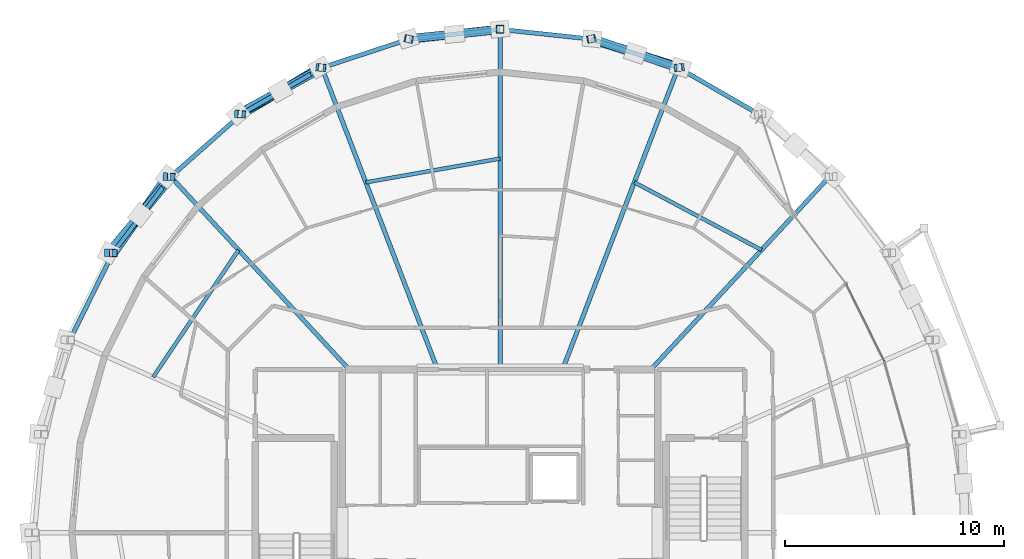
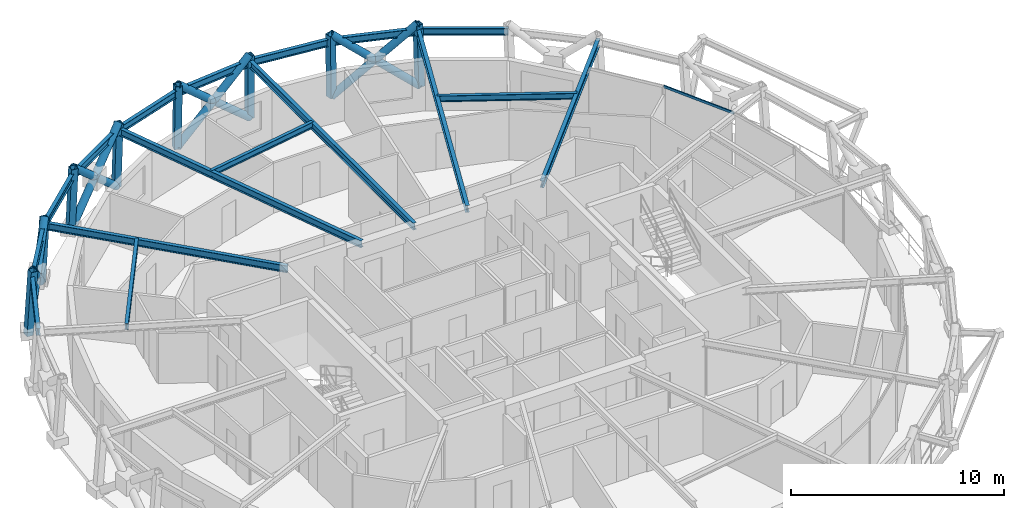
# One storey, part 7 of 15: 21 members, 17 beams, 1 element without a shape of its own.
"""IFC4 building model written with IfcOpenShell, lengths in metres."""

from ifc_helpers import new_model, si_unit, direction, frame, origin, origin_2d, place, context, subcontext, project, spatial, hollow_rectangle, hollow_circle, i_section, extrude, material, layer, layer_set, material_profile, profile_set, type_object, element, aggregate, save


model = new_model("IFC4")

# Units and contexts
model_context = context("Model", 3, precision=1e-05, world=origin(), true_north=direction((0.0, 1.0)))
body_context = subcontext(model_context, "Body", "Model", "MODEL_VIEW")
ifc_project = project(units=[si_unit("LENGTHUNIT", "METRE"), si_unit("AREAUNIT", "SQUARE_METRE"), si_unit("VOLUMEUNIT", "CUBIC_METRE"), si_unit("PLANEANGLEUNIT", "RADIAN"), si_unit("MASSUNIT", "GRAM", prefix="KILO")], contexts=[model_context])

# Site, building, storey
site_placement = place(None, origin())
site = spatial("IfcSite", under=ifc_project, at=site_placement, CompositionType="ELEMENT")
building_placement = place(site_placement, origin())
building = spatial("IfcBuilding", under=site, at=building_placement, Name="Veldorina Hangang Commons", CompositionType="ELEMENT")
storey_placement = place(building_placement, frame((0.0, 0.0, 268.800048828125)))
storey = spatial("IfcBuildingStorey", under=building, at=storey_placement, Name="L70", CompositionType="ELEMENT", Elevation=268.800048828125)

# Beams
ifc_material_1 = material(Name="Steel SM355-TMC", Category="steel")
ifc_material_profile_1 = material_profile(ifc_material_1, i_section(OverallWidth=0.199951171875, OverallDepth=0.39990234375, WebThickness=0.008056640625, FlangeThickness=0.012939453125, FilletRadius=0.012939453125, at=origin_2d()), Name="H-400x200x8x13")
ifc_profile_set_1 = profile_set([ifc_material_profile_1], Name="Steel SM355-TMC")
beam_type_1 = type_object("IfcBeamType", Name="BM-FG400", PredefinedType="BEAM", material=ifc_profile_set_1)
beam_1_placement = place(storey_placement, frame((38.893798828125, 31.449951171875, 3.159912109375), z_axis=(0.679179899846, 0.73397184118, 0.0), x_axis=(-0.73397184118, 0.679179899846, 0.0)))
element("IfcBeam", 1, at=beam_1_placement, inside=storey, type_object=beam_type_1, Name="L70 radial floor girder 03", PredefinedType="BEAM", context=body_context, shape_type="SweptSolid", body=[
    extrude(i_section(OverallWidth=0.199951171875, OverallDepth=0.39990234375, WebThickness=0.008056640625, FlangeThickness=0.012939453125, FilletRadius=0.012939453125, at=origin_2d()), origin(), (0.0, 0.0, 1.0), 11.994873046875),
])
beam_2_placement = place(storey_placement, frame((34.855712890625, 31.449951171875, 3.159912109375), z_axis=(0.357895163027, 0.933761774909, 0.0), x_axis=(-0.933761774909, 0.357895163027, 0.0)))
element("IfcBeam", 2, at=beam_2_placement, inside=storey, type_object=beam_type_1, Name="L70 radial floor girder 04", PredefinedType="BEAM", context=body_context, shape_type="SweptSolid", body=[
    extrude(i_section(OverallWidth=0.199951171875, OverallDepth=0.39990234375, WebThickness=0.008056640625, FlangeThickness=0.012939453125, FilletRadius=0.012939453125, at=origin_2d()), origin(), (0.0, 0.0, 1.0), 14.7646484375),
])
beam_3_placement = place(storey_placement, frame((32.0, 31.449951171875, 3.159912109375), z_axis=(0.0, 1.0, 0.0), x_axis=(-1.0, 0.0, 0.0)))
element("IfcBeam", 3, at=beam_3_placement, inside=storey, type_object=beam_type_1, Name="L70 radial floor girder 05", PredefinedType="BEAM", context=body_context, shape_type="SweptSolid", body=[
    extrude(i_section(OverallWidth=0.199951171875, OverallDepth=0.39990234375, WebThickness=0.008056640625, FlangeThickness=0.012939453125, FilletRadius=0.012939453125, at=origin_2d()), origin(), (0.0, 0.0, 1.0), 15.536376953125),
])
beam_4_placement = place(storey_placement, frame((29.144287109375, 31.449951171875, 3.159912109375), z_axis=(-0.357895163027, 0.933761774909, 0.0), x_axis=(-0.933761774909, -0.357895163027, 0.0)))
element("IfcBeam", 4, at=beam_4_placement, inside=storey, type_object=beam_type_1, Name="L70 radial floor girder 06", PredefinedType="BEAM", context=body_context, shape_type="SweptSolid", body=[
    extrude(i_section(OverallWidth=0.199951171875, OverallDepth=0.39990234375, WebThickness=0.008056640625, FlangeThickness=0.012939453125, FilletRadius=0.012939453125, at=origin_2d()), origin(), (0.0, 0.0, 1.0), 14.7646484375),
])
beam_5_placement = place(storey_placement, frame((25.106201171875, 31.449951171875, 3.159912109375), z_axis=(-0.679179899846, 0.73397184118, 0.0), x_axis=(-0.73397184118, -0.679179899846, 0.0)))
element("IfcBeam", 5, at=beam_5_placement, inside=storey, type_object=beam_type_1, Name="L70 radial floor girder 07", PredefinedType="BEAM", context=body_context, shape_type="SweptSolid", body=[
    extrude(i_section(OverallWidth=0.199951171875, OverallDepth=0.39990234375, WebThickness=0.008056640625, FlangeThickness=0.012939453125, FilletRadius=0.012939453125, at=origin_2d()), origin(), (0.0, 0.0, 1.0), 11.994873046875),
])
ifc_material_profile_2 = material_profile(ifc_material_1, i_section(OverallWidth=0.175048828125, OverallDepth=0.35009765625, WebThickness=0.007080078125, FlangeThickness=0.010986328125, FilletRadius=0.012939453125, at=origin_2d()), Name="H-350x175x7x11")
ifc_profile_set_2 = profile_set([ifc_material_profile_2], Name="Steel SM355-TMC")
beam_type_2 = type_object("IfcBeamType", Name="BM-JST350", PredefinedType="JOIST", material=ifc_profile_set_2)
beam_6_placement = place(storey_placement, frame((43.94482421875, 36.908447265625, 3.18505859375), z_axis=(-0.88303983929, 0.469298031347, 0.0), x_axis=(-0.469298031347, -0.88303983929, 0.0)))
element("IfcBeam", 6, at=beam_6_placement, inside=storey, type_object=beam_type_2, Name="L70 secondary floor joist 03", PredefinedType="JOIST", context=body_context, shape_type="SweptSolid", body=[
    extrude(i_section(OverallWidth=0.175048828125, OverallDepth=0.35009765625, WebThickness=0.007080078125, FlangeThickness=0.010986328125, FilletRadius=0.012939453125, at=origin_2d()), origin(), (0.0, 0.0, 1.0), 6.5830078125),
])
beam_7_placement = place(storey_placement, frame((32.0, 41.08251953125, 3.18505859375), z_axis=(-0.984711244278, -0.174194619299, 0.0), x_axis=(0.174194619299, -0.984711244278, 0.0)))
element("IfcBeam", 7, at=beam_7_placement, inside=storey, type_object=beam_type_2, Name="L70 secondary floor joist 05", PredefinedType="JOIST", context=body_context, shape_type="SweptSolid", body=[
    extrude(i_section(OverallWidth=0.175048828125, OverallDepth=0.35009765625, WebThickness=0.007080078125, FlangeThickness=0.010986328125, FilletRadius=0.012939453125, at=origin_2d()), origin(), (0.0, 0.0, 1.0), 6.22705078125),
])
beam_8_placement = place(storey_placement, frame((20.05517578125, 36.908447265625, 3.18505859375), z_axis=(-0.557777384518, -0.829990595923, 0.0), x_axis=(0.829990595923, -0.557777384518, 0.0)))
element("IfcBeam", 8, at=beam_8_placement, inside=storey, type_object=beam_type_2, Name="L70 secondary floor joist 07", PredefinedType="JOIST", context=body_context, shape_type="SweptSolid", body=[
    extrude(i_section(OverallWidth=0.175048828125, OverallDepth=0.35009765625, WebThickness=0.007080078125, FlangeThickness=0.010986328125, FilletRadius=0.012939453125, at=origin_2d()), origin(), (0.0, 0.0, 1.0), 7.003662109375),
])
ifc_material_profile_3 = material_profile(ifc_material_1, i_section(OverallWidth=0.199951171875, OverallDepth=0.39990234375, WebThickness=0.008056640625, FlangeThickness=0.012939453125, FilletRadius=0.012939453125, at=origin_2d()), Name="H-400x200x8x13")
ifc_profile_set_3 = profile_set([ifc_material_profile_3], Name="Steel SM355-TMC")
beam_type_3 = type_object("IfcBeamType", Name="BM-RB400", PredefinedType="BEAM", material=ifc_profile_set_3)
beam_9_placement = place(storey_placement, frame((43.8173828125, 43.1123046875, 3.159912109375), z_axis=(-0.865916531802, 0.500188524411, 0.0), x_axis=(-0.500188524411, -0.865916531802, 0.0)))
element("IfcBeam", 9, at=beam_9_placement, inside=storey, type_object=beam_type_3, Name="L70 perimeter hoop ring beam 05", PredefinedType="BEAM", context=body_context, shape_type="SweptSolid", body=[
    extrude(i_section(OverallWidth=0.199951171875, OverallDepth=0.39990234375, WebThickness=0.008056640625, FlangeThickness=0.012939453125, FilletRadius=0.012939453125, at=origin_2d()), origin(), (0.0, 0.0, 1.0), 4.246826171875),
])
beam_10_placement = place(storey_placement, frame((40.139892578125, 45.236572265625, 3.159912109375), z_axis=(-0.950241391211, 0.311514523624, 0.0), x_axis=(-0.311514523624, -0.950241391211, 0.0)))
element("IfcBeam", 10, at=beam_10_placement, inside=storey, type_object=beam_type_3, Name="L70 perimeter hoop ring beam 06", PredefinedType="BEAM", context=body_context, shape_type="SweptSolid", body=[
    extrude(i_section(OverallWidth=0.199951171875, OverallDepth=0.39990234375, WebThickness=0.008056640625, FlangeThickness=0.012939453125, FilletRadius=0.012939453125, at=origin_2d()), origin(), (0.0, 0.0, 1.0), 4.19921875),
])
for number, where, z_axis, x_axis, name in (
    (11, (36.149658203125, 46.544677734375, 3.159912109375), (-0.994383936401, 0.105832825849, 0.0), (-0.105832825849, -0.994383936401, 0.0), "L70 perimeter hoop ring beam 07"),
    (12, (32.0, 46.986328125, 3.159912109375), (-0.994383936401, -0.105832825849, 0.0), (0.105832825849, -0.994383936401, 0.0), "L70 perimeter hoop ring beam 08"),
):
    element("IfcBeam", number, at=place(storey_placement, frame(where, z_axis=z_axis, x_axis=x_axis)), inside=storey, type_object=beam_type_3, Name=name, PredefinedType="BEAM", context=body_context, shape_type="SweptSolid", body=[
        extrude(i_section(OverallWidth=0.199951171875, OverallDepth=0.39990234375, WebThickness=0.008056640625, FlangeThickness=0.012939453125, FilletRadius=0.012939453125, at=origin_2d()), origin(), (0.0, 0.0, 1.0), 4.173095703125),
    ])
beam_11_placement = place(storey_placement, frame((27.850341796875, 46.544677734375, 3.159912109375), z_axis=(-0.950241391211, -0.311514523624, 0.0), x_axis=(0.311514523624, -0.950241391211, 0.0)))
element("IfcBeam", 13, at=beam_11_placement, inside=storey, type_object=beam_type_3, Name="L70 perimeter hoop ring beam 09", PredefinedType="BEAM", context=body_context, shape_type="SweptSolid", body=[
    extrude(i_section(OverallWidth=0.199951171875, OverallDepth=0.39990234375, WebThickness=0.008056640625, FlangeThickness=0.012939453125, FilletRadius=0.012939453125, at=origin_2d()), origin(), (0.0, 0.0, 1.0), 4.19921875),
])
beam_12_placement = place(storey_placement, frame((23.860107421875, 45.236572265625, 3.159912109375), z_axis=(-0.865916531802, -0.500188524411, 0.0), x_axis=(0.500188524411, -0.865916531802, 0.0)))
element("IfcBeam", 14, at=beam_12_placement, inside=storey, type_object=beam_type_3, Name="L70 perimeter hoop ring beam 10", PredefinedType="BEAM", context=body_context, shape_type="SweptSolid", body=[
    extrude(i_section(OverallWidth=0.199951171875, OverallDepth=0.39990234375, WebThickness=0.008056640625, FlangeThickness=0.012939453125, FilletRadius=0.012939453125, at=origin_2d()), origin(), (0.0, 0.0, 1.0), 4.246826171875),
])
beam_13_placement = place(storey_placement, frame((20.1826171875, 43.1123046875, 3.159912109375), z_axis=(-0.74817173602, -0.663505126899, 0.0), x_axis=(0.663505126899, -0.74817173602, 0.0)))
element("IfcBeam", 15, at=beam_13_placement, inside=storey, type_object=beam_type_3, Name="L70 perimeter hoop ring beam 11", PredefinedType="BEAM", context=body_context, shape_type="SweptSolid", body=[
    extrude(i_section(OverallWidth=0.199951171875, OverallDepth=0.39990234375, WebThickness=0.008056640625, FlangeThickness=0.012939453125, FilletRadius=0.012939453125, at=origin_2d()), origin(), (0.0, 0.0, 1.0), 4.30810546875),
])
beam_14_placement = place(storey_placement, frame((16.95947265625, 40.25390625, 3.159912109375), z_axis=(-0.604776116347, -0.796395535583, 0.0), x_axis=(0.796395535583, -0.604776116347, 0.0)))
element("IfcBeam", 16, at=beam_14_placement, inside=storey, type_object=beam_type_3, Name="L70 perimeter hoop ring beam 12", PredefinedType="BEAM", context=body_context, shape_type="SweptSolid", body=[
    extrude(i_section(OverallWidth=0.199951171875, OverallDepth=0.39990234375, WebThickness=0.008056640625, FlangeThickness=0.012939453125, FilletRadius=0.012939453125, at=origin_2d()), origin(), (0.0, 0.0, 1.0), 4.3740234375),
])
beam_15_placement = place(storey_placement, frame((14.314208984375, 36.7705078125, 3.159912109375), z_axis=(-0.443377021076, -0.896335214739, 0.0), x_axis=(0.896335214739, -0.443377021076, 0.0)))
element("IfcBeam", 17, at=beam_15_placement, inside=storey, type_object=beam_type_3, Name="L70 perimeter hoop ring beam 13", PredefinedType="BEAM", context=body_context, shape_type="SweptSolid", body=[
    extrude(i_section(OverallWidth=0.199951171875, OverallDepth=0.39990234375, WebThickness=0.008056640625, FlangeThickness=0.012939453125, FilletRadius=0.012939453125, at=origin_2d()), origin(), (0.0, 0.0, 1.0), 4.433837890625),
])

# Curtain wall, member
ifc_material_2 = material(Name="Glass Low-E Selective", Category="glass")
ifc_layer = layer(ifc_material_2, 0.179931640625)
ifc_layer_set = layer_set([ifc_layer], Name="Glass Low-E Selective")
curtain_wall_type = type_object("IfcCurtainWallType", Name="CW-SYS-Z3", PredefinedType="NOTDEFINED", material=ifc_layer_set)
curtain_wall_placement = place(storey_placement, origin())
curtain_wall = element("IfcCurtainWall", 18, at=curtain_wall_placement, inside=storey, type_object=curtain_wall_type, Name="L70 unitised curtain wall CW-L70-R2", PredefinedType="NOTDEFINED")
ifc_material_3 = material(Name="Aluminium Anodized AA6063-T6", Category="aluminium")
ifc_material_profile_4 = material_profile(ifc_material_3, hollow_rectangle(XDim=0.06005859375, YDim=0.139892578125, WallThickness=0.00341796875, at=origin_2d()), Name="ALU-RHS-140x60x3.5")
ifc_profile_set_4 = profile_set([ifc_material_profile_4], Name="Aluminium Anodized AA6063-T6")
member_type_1 = type_object("IfcMemberType", Name="CW-TRN-140", PredefinedType="USERDEFINED", material=ifc_profile_set_4)
member_1_placement = place(storey_placement, frame((49.55078125, 31.836181640625, 3.280029296875), z_axis=(-0.444220792071, 0.895917344342, 0.0), x_axis=(-0.895917344342, -0.444220792071, 0.0)))
member_1 = element("IfcMember", 19, at=member_1_placement, type_object=member_type_1, Name="CW-L70-R2 facet 4 transom 1", ObjectType="TRANSOM", PredefinedType="USERDEFINED", context=body_context, shape_type="SweptSolid", body=[
    extrude(hollow_rectangle(XDim=0.06005859375, YDim=0.139892578125, WallThickness=0.00341796875, at=origin_2d()), origin(), (0.0, 0.0, 1.0), 3.95166015625),
])
aggregate(curtain_wall, [member_1])

# Members
ifc_material_profile_5 = material_profile(ifc_material_1, hollow_circle(Radius=0.199951171875, WallThickness=0.02001953125, at=origin_2d()), Name="CHS-400x20")
ifc_profile_set_5 = profile_set([ifc_material_profile_5], Name="Steel SM355-TMC")
member_type_2 = type_object("IfcMemberType", Name="DG-CHS400", PredefinedType="BRACE", material=ifc_profile_set_5)
member_2_placement = place(storey_placement, frame((40.234130859375, 45.24658203125, 0.0), z_axis=(-0.730349230959, 0.231478472616, 0.642656764963), x_axis=(-0.302130390763, -0.953266608551, 0.0)))
element("IfcMember", 20, at=member_2_placement, inside=storey, type_object=member_type_2, Name="L70 continuous perimeter diagrid brace 06", PredefinedType="BRACE", context=body_context, shape_type="SweptSolid", body=[
    extrude(hollow_circle(Radius=0.199951171875, WallThickness=0.02001953125, at=origin_2d()), origin(), (0.0, 0.0, 1.0), 5.6015625),
])
member_3_placement = place(storey_placement, frame((36.19775390625, 46.55517578125, 0.0), z_axis=(0.716614889435, -0.237751688796, 0.655695992603), x_axis=(0.314892468115, 0.949127353691, 0.0)))
element("IfcMember", 21, at=member_3_placement, inside=storey, type_object=member_type_2, Name="L70 split perimeter diagrid lower brace 07", PredefinedType="BRACE", context=body_context, shape_type="SweptSolid", body=[
    extrude(hollow_circle(Radius=0.199951171875, WallThickness=0.02001953125, at=origin_2d()), origin(), (0.0, 0.0, 1.0), 2.76123046875),
])
member_4_placement = place(storey_placement, frame((38.176513671875, 45.898681640625, 1.810546875), z_axis=(0.714726048133, -0.2431929643, 0.655762043912), x_axis=(0.32212369179, 0.946697590146, 0.0)))
element("IfcMember", 22, at=member_4_placement, inside=storey, type_object=member_type_2, Name="L70 split perimeter diagrid upper brace 07", PredefinedType="BRACE", context=body_context, shape_type="SweptSolid", body=[
    extrude(hollow_circle(Radius=0.199951171875, WallThickness=0.02001953125, at=origin_2d()), origin(), (0.0, 0.0, 1.0), 2.728515625),
])
member_5_placement = place(storey_placement, frame((32.0, 46.9970703125, 0.0), z_axis=(-0.752291547398, -0.08241072402, 0.653655796487), x_axis=(0.108894816923, -0.99405327767, 0.0)))
element("IfcMember", 23, at=member_5_placement, inside=storey, type_object=member_type_2, Name="L70 continuous perimeter diagrid brace 08", PredefinedType="BRACE", context=body_context, shape_type="SweptSolid", body=[
    extrude(hollow_circle(Radius=0.199951171875, WallThickness=0.02001953125, at=origin_2d()), origin(), (0.0, 0.0, 1.0), 5.50732421875),
])
member_6_placement = place(storey_placement, frame((27.80224609375, 46.55517578125, 0.0), z_axis=(0.756893055914, 0.076441475719, 0.649052850467), x_axis=(-0.100482611961, 0.994938814548, 0.0)))
element("IfcMember", 24, at=member_6_placement, inside=storey, type_object=member_type_2, Name="L70 split perimeter diagrid lower brace 09", PredefinedType="BRACE", context=body_context, shape_type="SweptSolid", body=[
    extrude(hollow_circle(Radius=0.199951171875, WallThickness=0.02001953125, at=origin_2d()), origin(), (0.0, 0.0, 1.0), 2.79150390625),
])
member_7_placement = place(storey_placement, frame((29.9150390625, 46.7685546875, 1.811767578125), z_axis=(0.756737899633, 0.078509341812, 0.648986929381), x_axis=(-0.10319320131, 0.994661330908, 0.0)))
element("IfcMember", 25, at=member_7_placement, inside=storey, type_object=member_type_2, Name="L70 split perimeter diagrid upper brace 09", PredefinedType="BRACE", context=body_context, shape_type="SweptSolid", body=[
    extrude(hollow_circle(Radius=0.199951171875, WallThickness=0.02001953125, at=origin_2d()), origin(), (0.0, 0.0, 1.0), 2.755126953125),
])
member_8_placement = place(storey_placement, frame((23.765869140625, 45.24658203125, 0.0), z_axis=(-0.648328653647, -0.388446519176, 0.654812384275), x_axis=(0.51395991646, -0.857814201487, 0.0)))
element("IfcMember", 26, at=member_8_placement, inside=storey, type_object=member_type_2, Name="L70 continuous perimeter diagrid brace 10", PredefinedType="BRACE", context=body_context, shape_type="SweptSolid", body=[
    extrude(hollow_circle(Radius=0.199951171875, WallThickness=0.02001953125, at=origin_2d()), origin(), (0.0, 0.0, 1.0), 5.49755859375),
])
member_9_placement = place(storey_placement, frame((20.0458984375, 43.121337890625, 0.0), z_axis=(0.677766395207, 0.369721954606, 0.635561476027), x_axis=(-0.478883269434, 0.877878587423, 0.0)))
element("IfcMember", 27, at=member_9_placement, inside=storey, type_object=member_type_2, Name="L70 split perimeter diagrid lower brace 11", PredefinedType="BRACE", context=body_context, shape_type="SweptSolid", body=[
    extrude(hollow_circle(Radius=0.199951171875, WallThickness=0.02001953125, at=origin_2d()), origin(), (0.0, 0.0, 1.0), 2.845947265625),
])
member_10_placement = place(storey_placement, frame((21.974853515625, 44.173583984375, 1.808837890625), z_axis=(0.673788223743, 0.376752983132, 0.635662346885), x_axis=(-0.488042725002, 0.872819740022, 0.0)))
element("IfcMember", 28, at=member_10_placement, inside=storey, type_object=member_type_2, Name="L70 split perimeter diagrid upper brace 11", PredefinedType="BRACE", context=body_context, shape_type="SweptSolid", body=[
    extrude(hollow_circle(Radius=0.199951171875, WallThickness=0.02001953125, at=origin_2d()), origin(), (0.0, 0.0, 1.0), 2.817626953125),
])
member_11_placement = place(storey_placement, frame((16.785400390625, 40.26123046875, 0.0), z_axis=(-0.43789283932, -0.625917590717, 0.64535031642), x_axis=(0.819385320532, -0.573243139076, 0.0)))
element("IfcMember", 29, at=member_11_placement, inside=storey, type_object=member_type_2, Name="L70 continuous perimeter diagrid brace 12", PredefinedType="BRACE", context=body_context, shape_type="SweptSolid", body=[
    extrude(hollow_circle(Radius=0.199951171875, WallThickness=0.02001953125, at=origin_2d()), origin(), (0.0, 0.0, 1.0), 5.578125),
])
member_12_placement = place(storey_placement, frame((14.109375, 36.7763671875, 0.0), z_axis=(0.501610586151, 0.599485822473, 0.623701505943), x_axis=(-0.766936804903, 0.641722632674, 0.0)))
element("IfcMember", 30, at=member_12_placement, inside=storey, type_object=member_type_2, Name="L70 split perimeter diagrid lower brace 13", PredefinedType="BRACE", context=body_context, shape_type="SweptSolid", body=[
    extrude(hollow_circle(Radius=0.199951171875, WallThickness=0.02001953125, at=origin_2d()), origin(), (0.0, 0.0, 1.0), 2.8935546875),
])
member_13_placement = place(storey_placement, frame((15.560791015625, 38.510986328125, 1.8046875), z_axis=(0.494455878407, 0.605258791447, 0.623839065533), x_axis=(-0.774431069879, 0.632658294821, 0.0)))
element("IfcMember", 31, at=member_13_placement, inside=storey, type_object=member_type_2, Name="L70 split perimeter diagrid upper brace 13", PredefinedType="BRACE", context=body_context, shape_type="SweptSolid", body=[
    extrude(hollow_circle(Radius=0.199951171875, WallThickness=0.02001953125, at=origin_2d()), origin(), (0.0, 0.0, 1.0), 2.877685546875),
])
ifc_material_profile_6 = material_profile(ifc_material_1, hollow_rectangle(XDim=0.35009765625, YDim=0.35009765625, WallThickness=0.01611328125, at=origin_2d()), Name="SHS-350x350x16")
ifc_profile_set_6 = profile_set([ifc_material_profile_6], Name="Steel SM355-TMC")
member_type_3 = type_object("IfcMemberType", Name="STR-SHS350", PredefinedType="STRUT", material=ifc_profile_set_6)
member_14_placement = place(storey_placement, frame((40.234130859375, 45.24658203125, 0.0), z_axis=(-0.029827195432, -0.003186086785, 0.999549992378), x_axis=(0.106213943408, -0.994343299985, 0.0)))
element("IfcMember", 32, at=member_14_placement, inside=storey, type_object=member_type_3, Name="L70 perimeter ring node post 06", PredefinedType="STRUT", context=body_context, shape_type="SweptSolid", body=[
    extrude(hollow_rectangle(XDim=0.35009765625, YDim=0.35009765625, WallThickness=0.01611328125, at=origin_2d()), origin(), (0.0, 0.0, 1.0), 3.6015625),
])
member_15_placement = place(storey_placement, frame((36.19775390625, 46.55517578125, 0.0), z_axis=(-0.015189753828, -0.00332275865, 0.999879108019), x_axis=(0.213696878805, -0.976900017396, 0.0)))
element("IfcMember", 33, at=member_15_placement, inside=storey, type_object=member_type_3, Name="L70 perimeter ring node post 07", PredefinedType="STRUT", context=body_context, shape_type="SweptSolid", body=[
    extrude(hollow_rectangle(XDim=0.35009765625, YDim=0.35009765625, WallThickness=0.01611328125, at=origin_2d()), origin(), (0.0, 0.0, 1.0), 3.600341796875),
])
member_16_placement = place(storey_placement, frame((32.0, 46.9970703125, 0.0), z_axis=(0.0, -0.003390960497, 0.999994250677), x_axis=(1.0, 0.0, 0.0)))
element("IfcMember", 34, at=member_16_placement, inside=storey, type_object=member_type_3, Name="L70 perimeter ring node post 08", PredefinedType="STRUT", context=body_context, shape_type="SweptSolid", body=[
    extrude(hollow_rectangle(XDim=0.35009765625, YDim=0.35009765625, WallThickness=0.01611328125, at=origin_2d()), origin(), (0.0, 0.0, 1.0), 3.599853515625),
])
member_17_placement = place(storey_placement, frame((27.80224609375, 46.55517578125, 0.0), z_axis=(0.015189753828, -0.00332275865, 0.999879108019), x_axis=(0.213696878805, 0.976900017396, 0.0)))
element("IfcMember", 35, at=member_17_placement, inside=storey, type_object=member_type_3, Name="L70 perimeter ring node post 09", PredefinedType="STRUT", context=body_context, shape_type="SweptSolid", body=[
    extrude(hollow_rectangle(XDim=0.35009765625, YDim=0.35009765625, WallThickness=0.01611328125, at=origin_2d()), origin(), (0.0, 0.0, 1.0), 3.600341796875),
])
member_18_placement = place(storey_placement, frame((23.765869140625, 45.24658203125, 0.0), z_axis=(0.029827195432, -0.003186086785, 0.999549992378), x_axis=(0.106213943408, 0.994343299985, 0.0)))
element("IfcMember", 36, at=member_18_placement, inside=storey, type_object=member_type_3, Name="L70 perimeter ring node post 10", PredefinedType="STRUT", context=body_context, shape_type="SweptSolid", body=[
    extrude(hollow_rectangle(XDim=0.35009765625, YDim=0.35009765625, WallThickness=0.01611328125, at=origin_2d()), origin(), (0.0, 0.0, 1.0), 3.6015625),
])
member_19_placement = place(storey_placement, frame((20.0458984375, 43.121337890625, 0.0), z_axis=(0.043228282479, -0.002845749003, 0.99906116795), x_axis=(0.065688538203, 0.997840175554, 0.0)))
element("IfcMember", 37, at=member_19_placement, inside=storey, type_object=member_type_3, Name="L70 perimeter ring node post 11", PredefinedType="STRUT", context=body_context, shape_type="SweptSolid", body=[
    extrude(hollow_rectangle(XDim=0.35009765625, YDim=0.35009765625, WallThickness=0.01611328125, at=origin_2d()), origin(), (0.0, 0.0, 1.0), 3.603271484375),
])
member_20_placement = place(storey_placement, frame((16.785400390625, 40.26123046875, 0.0), z_axis=(0.054986046777, -0.002370088223, 0.998484310013), x_axis=(0.04306346288, 0.999072338805, 0.0)))
element("IfcMember", 38, at=member_20_placement, inside=storey, type_object=member_type_3, Name="L70 perimeter ring node post 12", PredefinedType="STRUT", context=body_context, shape_type="SweptSolid", body=[
    extrude(hollow_rectangle(XDim=0.35009765625, YDim=0.35009765625, WallThickness=0.01611328125, at=origin_2d()), origin(), (0.0, 0.0, 1.0), 3.605224609375),
])
member_21_placement = place(storey_placement, frame((14.109375, 36.7763671875, 0.0), z_axis=(0.064699584734, -0.001827289527, 0.997903113909), x_axis=(0.028231420688, 0.999601414008, 0.0)))
element("IfcMember", 39, at=member_21_placement, inside=storey, type_object=member_type_3, Name="L70 perimeter ring node post 13", PredefinedType="STRUT", context=body_context, shape_type="SweptSolid", body=[
    extrude(hollow_rectangle(XDim=0.35009765625, YDim=0.35009765625, WallThickness=0.01611328125, at=origin_2d()), origin(), (0.0, 0.0, 1.0), 3.607421875),
])

save(model, "model.ifc")
